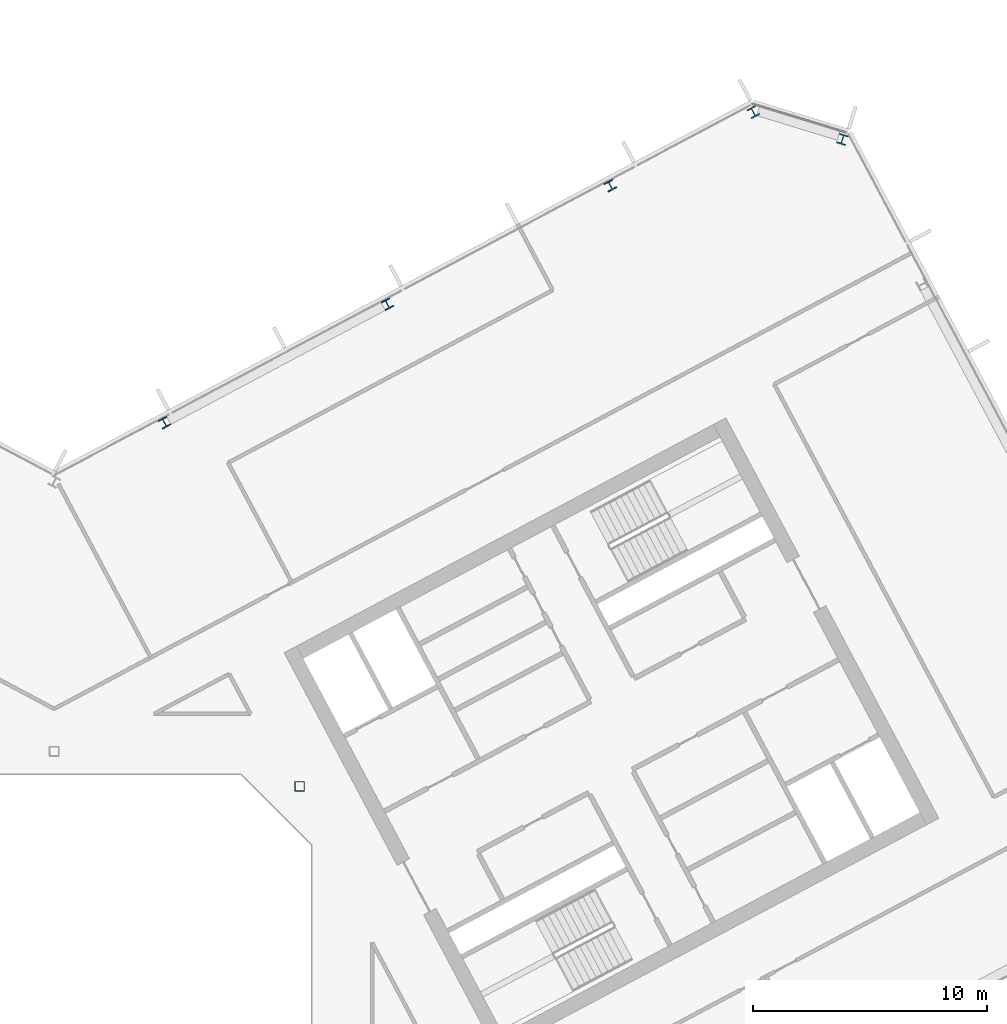
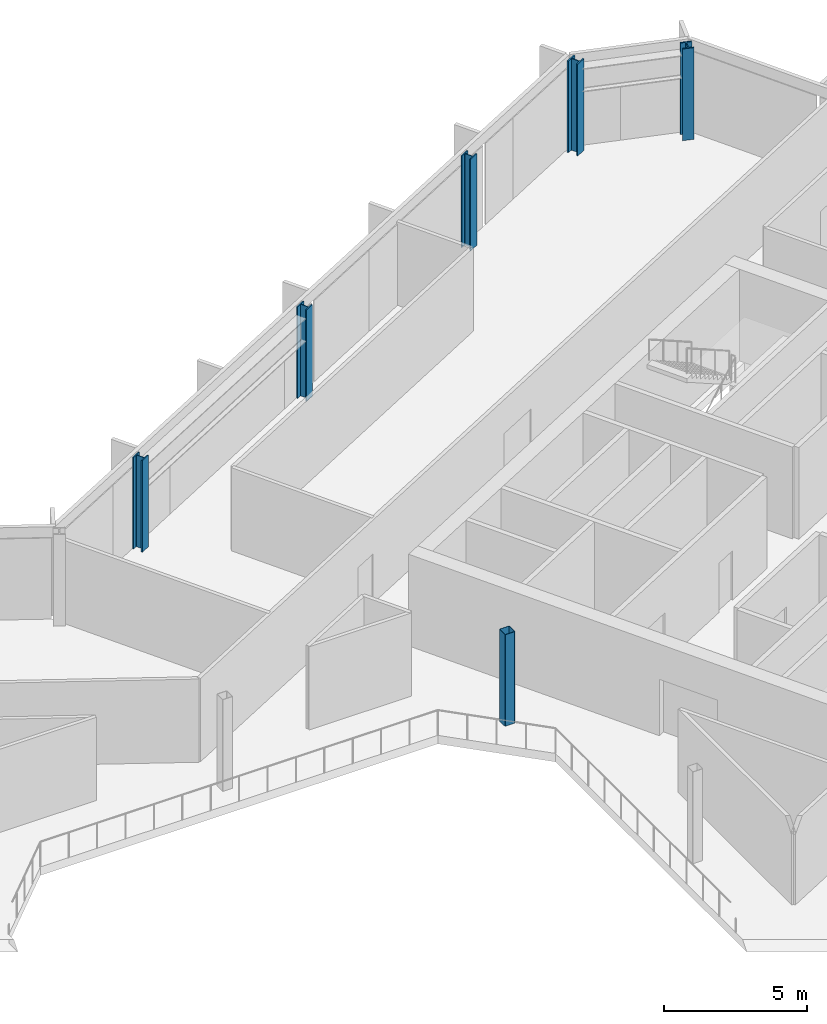
# One storey, part 6 of 26: 6 columns.
"""IFC4 building model written with IfcOpenShell, lengths in metres."""

from ifc_helpers import new_model, si_unit, direction, frame, origin, origin_2d, place, context, subcontext, project, spatial, hollow_rectangle, i_section, extrude, material, material_profile, profile_set, type_object, element, save


model = new_model("IFC4")

# Units and contexts
model_context = context("Model", 3, precision=1e-05, world=origin(), true_north=direction((0.0, 1.0)))
body_context = subcontext(model_context, "Body", "Model", "MODEL_VIEW")
ifc_project = project(units=[si_unit("LENGTHUNIT", "METRE"), si_unit("AREAUNIT", "SQUARE_METRE"), si_unit("VOLUMEUNIT", "CUBIC_METRE"), si_unit("PLANEANGLEUNIT", "RADIAN"), si_unit("MASSUNIT", "GRAM", prefix="KILO")], contexts=[model_context])

# Site, building, storey
site_placement = place(None, origin())
site = spatial("IfcSite", under=ifc_project, at=site_placement, CompositionType="ELEMENT")
building_placement = place(site_placement, origin())
building = spatial("IfcBuilding", under=site, at=building_placement, Name="Cormorant Relay Tower", CompositionType="ELEMENT")
storey_placement = place(building_placement, frame((0.0, 0.0, 228.60009765625)))
storey = spatial("IfcBuildingStorey", under=building, at=storey_placement, Name="L50", CompositionType="ELEMENT", Elevation=228.60009765625)

# Columns
ifc_material_1 = material(Name="Steel ASTM A500 Grade C (Fy 345 MPa)", Category="steel")
ifc_material_profile_1 = material_profile(ifc_material_1, hollow_rectangle(XDim=0.406494140625, YDim=0.406494140625, WallThickness=0.0146484375, InnerFilletRadius=0.00732421875, OuterFilletRadius=0.022216796875, at=origin_2d()), Name="HSS406x406x15")
ifc_profile_set_1 = profile_set([ifc_material_profile_1], Name="Steel ASTM A500 Grade C (Fy 345 MPa)")
column_type_1 = type_object("IfcColumnType", Name="Column HSS406x406x15", PredefinedType="COLUMN", material=ifc_profile_set_1)
column_placement = place(storey_placement, frame((10.5, 10.5, 0.0), z_axis=(0.0, 0.0, 1.0), x_axis=(1.0, 0.0, 0.0)))
element("IfcColumn", 1, at=column_placement, inside=storey, type_object=column_type_1, Name="Column L50-024", PredefinedType="COLUMN", context=body_context, shape_type="SweptSolid", body=[
    extrude(hollow_rectangle(XDim=0.406494140625, YDim=0.406494140625, WallThickness=0.0146484375, InnerFilletRadius=0.00732421875, OuterFilletRadius=0.022216796875, at=origin_2d()), origin(), (0.0, 0.0, 1.0), 3.89990234375),
])
ifc_material_2 = material(Name="Steel ASTM A992 (Fy 345 MPa)", Category="steel")
ifc_material_profile_2 = material_profile(ifc_material_2, i_section(OverallWidth=0.40380859375, OverallDepth=0.406494140625, WebThickness=0.027099609375, FlangeThickness=0.043701171875, FilletRadius=0.01513671875, at=origin_2d()), Name="W360x347")
ifc_profile_set_2 = profile_set([ifc_material_profile_2], Name="Steel ASTM A992 (Fy 345 MPa)")
column_type_2 = type_object("IfcColumnType", Name="Column W360x347", PredefinedType="COLUMN", material=ifc_profile_set_2)
for number, where, z_axis, x_axis, name in (
    (2, (4.719970703125, 26.055908203125, 0.0), (0.0, 0.0, 1.0), (-0.882947592859, -0.469471562786, 0.0), "Column L50-032"),
    (3, (14.256103515625, 31.1259765625, 0.0), (0.0, 0.0, 1.0), (-0.882947592859, -0.469471562786, 0.0), "Column L50-035"),
    (4, (23.7919921875, 36.196044921875, 0.0), (0.0, 0.0, 1.0), (-0.882947592859, -0.469471562786, 0.0), "Column L50-039"),
):
    element("IfcColumn", number, at=place(storey_placement, frame(where, z_axis=z_axis, x_axis=x_axis)), inside=storey, type_object=column_type_2, Name=name, PredefinedType="COLUMN", context=body_context, shape_type="SweptSolid", body=[
        extrude(i_section(OverallWidth=0.40380859375, OverallDepth=0.406494140625, WebThickness=0.027099609375, FlangeThickness=0.043701171875, FilletRadius=0.01513671875, at=origin_2d()), origin(), (0.0, 0.0, 1.0), 3.89990234375),
    ])
ifc_material_3 = material(Name="Steel ASTM A992 (Fy 345 MPa)", Category="steel")
ifc_material_profile_3 = material_profile(ifc_material_3, i_section(OverallWidth=0.41162109375, OverallDepth=0.434326171875, WebThickness=0.035888671875, FlangeThickness=0.057373046875, FilletRadius=0.01513671875, at=origin_2d()), Name="W360x463")
ifc_profile_set_3 = profile_set([ifc_material_profile_3], Name="Steel ASTM A992 (Fy 345 MPa)")
column_type_3 = type_object("IfcColumnType", Name="Column W360x463", PredefinedType="COLUMN", material=ifc_profile_set_3)
for number, where, z_axis, x_axis, name in (
    (5, (33.720947265625, 38.173095703125, 0.0), (0.0, 0.0, 1.0), (-0.956304755963, 0.292371704723, 0.0), "Column L50-041"),
    (6, (29.905029296875, 39.340087890625, 0.0), (0.0, 0.0, 1.0), (-0.882947592859, -0.469471562786, 0.0), "Column L50-043"),
):
    element("IfcColumn", number, at=place(storey_placement, frame(where, z_axis=z_axis, x_axis=x_axis)), inside=storey, type_object=column_type_3, Name=name, PredefinedType="COLUMN", context=body_context, shape_type="SweptSolid", body=[
        extrude(i_section(OverallWidth=0.41162109375, OverallDepth=0.434326171875, WebThickness=0.035888671875, FlangeThickness=0.057373046875, FilletRadius=0.01513671875, at=origin_2d()), origin(), (0.0, 0.0, 1.0), 3.89990234375),
    ])

save(model, "model.ifc")
